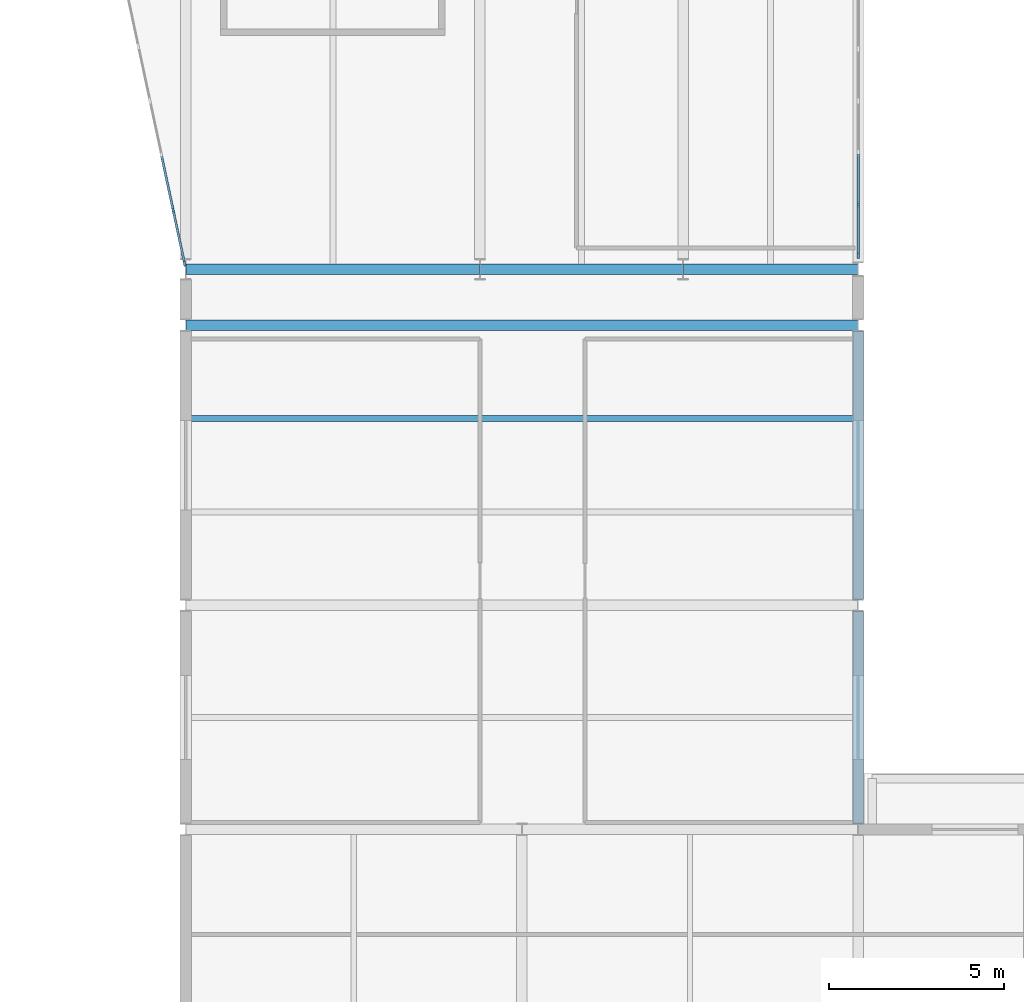
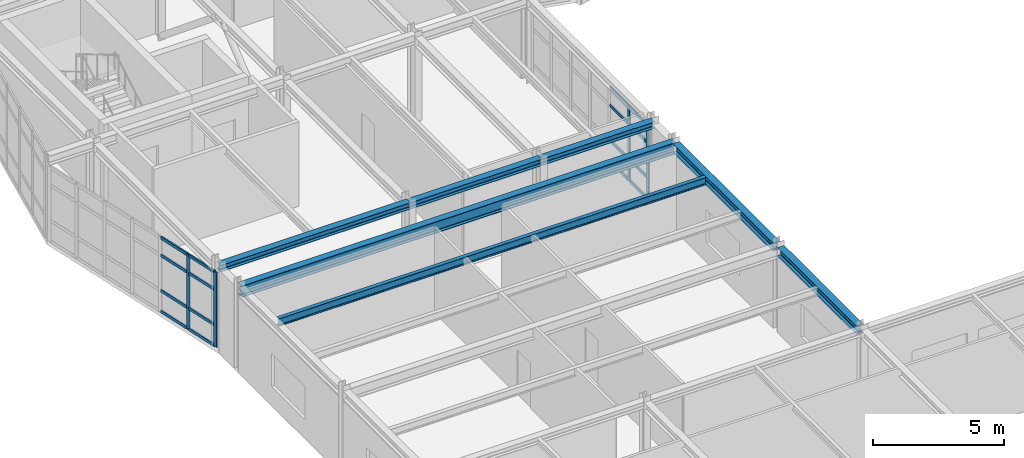
# One storey, part 20 of 99: 20 members, 7 beams, 2 elements without a shape of their own.
"""IFC4 building model written with IfcOpenShell, lengths in metres."""

from ifc_helpers import new_model, si_unit, direction, frame, origin, origin_2d, place, context, subcontext, project, spatial, rectangle, i_section, extrude, material, layer, layer_set, material_profile, profile_set, type_object, element, aggregate, save


model = new_model("IFC4")

# Units and contexts
model_context = context("Model", 3, precision=1e-05, world=origin(), true_north=direction((0.0, 1.0)))
body_context = subcontext(model_context, "Body", "Model", "MODEL_VIEW")
ifc_project = project(units=[si_unit("LENGTHUNIT", "METRE"), si_unit("AREAUNIT", "SQUARE_METRE"), si_unit("VOLUMEUNIT", "CUBIC_METRE"), si_unit("PLANEANGLEUNIT", "RADIAN"), si_unit("MASSUNIT", "GRAM", prefix="KILO")], contexts=[model_context])

# Site, building, storey
site_placement = place(None, origin())
site = spatial("IfcSite", under=ifc_project, at=site_placement, CompositionType="ELEMENT")
building_placement = place(site_placement, origin())
building = spatial("IfcBuilding", under=site, at=building_placement, Name="Nordkorset Police Headquarters", CompositionType="ELEMENT")
storey_placement = place(building_placement, frame((0.0, 0.0, 5.25)))
storey = spatial("IfcBuildingStorey", under=building, at=storey_placement, Name="L01", CompositionType="ELEMENT", Elevation=5.25)

# Beam
ifc_material_1 = material(Name="Steel S355J2", Category="steel")
ifc_material_profile_1 = material_profile(ifc_material_1, i_section(OverallWidth=0.169921875, OverallDepth=0.360107421875, WebThickness=0.008056640625, FlangeThickness=0.0126953125, FilletRadius=0.01806640625, at=origin_2d()), Name="IPE 360")
ifc_profile_set_1 = profile_set([ifc_material_profile_1], Name="Steel S355J2")
beam_type_1 = type_object("IfcBeamType", Name="Beam_IPE_360", PredefinedType="BEAM", material=ifc_profile_set_1)
beam_1_placement = place(storey_placement, frame((0.14990234375, 24.533447265625, 3.784912109375), z_axis=(1.0, 0.0, 0.0), x_axis=(0.0, 1.0, 0.0)))
element("IfcBeam", 1, at=beam_1_placement, inside=storey, type_object=beam_type_1, Name="Composite Floor Beam V7W L01 0-1-2", PredefinedType="BEAM", context=body_context, shape_type="SweptSolid", body=[
    extrude(i_section(OverallWidth=0.169921875, OverallDepth=0.360107421875, WebThickness=0.008056640625, FlangeThickness=0.0126953125, FilletRadius=0.01806640625, at=origin_2d()), origin(), (0.0, 0.0, 1.0), 18.900146484375),
])

# Curtain wall, members
ifc_material_2 = material(Name="Aluminium alloy AW-6060", Category="aluminium")
ifc_layer_1 = layer(ifc_material_2, 0.179931640625, Name="Aluminium alloy AW-6060")
ifc_layer_set_1 = layer_set([ifc_layer_1], Name="Aluminium alloy AW-6060")
curtain_wall_type_1 = type_object("IfcCurtainWallType", Name="CW_Unit_954x350", PredefinedType="USERDEFINED", material=ifc_layer_set_1)
curtain_wall_1_placement = place(storey_placement, origin())
curtain_wall_1 = element("IfcCurtainWall", 2, at=curtain_wall_1_placement, inside=storey, type_object=curtain_wall_type_1, Name="Unitised Curtain Wall L01 V3W-0", ObjectType="UNITISED CURTAIN WALL", PredefinedType="USERDEFINED")
ifc_material_3 = material(Name="Aluminium alloy AW-6060", Category="aluminium")
ifc_material_profile_2 = material_profile(ifc_material_3, rectangle(XDim=0.06494140625, YDim=0.179931640625, at=origin_2d()), Name="ALU MULL 65x180")
ifc_profile_set_2 = profile_set([ifc_material_profile_2], Name="Aluminium alloy AW-6060")
member_type_1 = type_object("IfcMemberType", Name="CW_Mullion_65x180", PredefinedType="MULLION", material=ifc_profile_set_2)
member_1_placement = place(storey_placement, frame((-0.0361328125, 28.96875, 0.0), z_axis=(0.0, 0.0, 1.0), x_axis=(-0.977951416289, -0.208832534289, 0.0)))
member_1 = element("IfcMember", 3, at=member_1_placement, type_object=member_type_1, Name="CW-63 mullion 1", PredefinedType="MULLION", context=body_context, shape_type="SweptSolid", body=[
    extrude(rectangle(XDim=0.06494140625, YDim=0.179931640625, at=origin_2d()), origin(), (0.0, 0.0, 1.0), 3.5),
])
member_2_placement = place(storey_placement, frame((-0.361083984375, 30.4912109375, 0.0), z_axis=(0.0, 0.0, 1.0), x_axis=(-0.977951416289, -0.208832534289, 0.0)))
member_2 = element("IfcMember", 4, at=member_2_placement, type_object=member_type_1, Name="CW-63 mullion 2", PredefinedType="MULLION", context=body_context, shape_type="SweptSolid", body=[
    extrude(rectangle(XDim=0.06494140625, YDim=0.179931640625, at=origin_2d()), origin(), (0.0, 0.0, 1.0), 3.5),
])

ifc_material_4 = material(Name="Aluminium alloy AW-6060", Category="aluminium")
ifc_layer_2 = layer(ifc_material_4, 0.179931640625, Name="Aluminium alloy AW-6060")
ifc_layer_set_2 = layer_set([ifc_layer_2], Name="Aluminium alloy AW-6060")
curtain_wall_type_2 = type_object("IfcCurtainWallType", Name="CW_Unit_888x350", PredefinedType="USERDEFINED", material=ifc_layer_set_2)
curtain_wall_2_placement = place(storey_placement, origin())
curtain_wall_2 = element("IfcCurtainWall", 5, at=curtain_wall_2_placement, inside=storey, type_object=curtain_wall_type_2, Name="Unitised Curtain Wall L01 V3E-0", ObjectType="UNITISED CURTAIN WALL", PredefinedType="USERDEFINED")
member_3_placement = place(storey_placement, frame((19.199951171875, 29.1923828125, 0.0), z_axis=(0.0, 0.0, 1.0), x_axis=(-1.0, 0.0, 0.0)))
member_3 = element("IfcMember", 6, at=member_3_placement, type_object=member_type_1, Name="CW-95 mullion 1", PredefinedType="MULLION", context=body_context, shape_type="SweptSolid", body=[
    extrude(rectangle(XDim=0.06494140625, YDim=0.179931640625, at=origin_2d()), origin(), (0.0, 0.0, 1.0), 3.5),
])
member_4_placement = place(storey_placement, frame((19.199951171875, 30.639892578125, 0.0), z_axis=(0.0, 0.0, 1.0), x_axis=(-1.0, 0.0, 0.0)))
member_4 = element("IfcMember", 7, at=member_4_placement, type_object=member_type_1, Name="CW-95 mullion 2", PredefinedType="MULLION", context=body_context, shape_type="SweptSolid", body=[
    extrude(rectangle(XDim=0.06494140625, YDim=0.179931640625, at=origin_2d()), origin(), (0.0, 0.0, 1.0), 3.5),
])

# Member
ifc_material_5 = material(Name="Aluminium alloy AW-6060", Category="aluminium")
ifc_material_profile_3 = material_profile(ifc_material_5, rectangle(XDim=0.06494140625, YDim=0.139892578125, at=origin_2d()), Name="ALU TRAN 65x140")
ifc_profile_set_3 = profile_set([ifc_material_profile_3], Name="Aluminium alloy AW-6060")
member_type_2 = type_object("IfcMemberType", Name="CW_Transom_65x140", PredefinedType="USERDEFINED", material=ifc_profile_set_3)
member_5_placement = place(storey_placement, frame((-0.042724609375, 29.00048828125, 0.032470703125), z_axis=(-0.208970278443, 0.977921992148, 0.0), x_axis=(-0.977921992148, -0.208970278443, 0.0)))
member_5 = element("IfcMember", 8, at=member_5_placement, type_object=member_type_2, Name="CW-63 transom 1.1", ObjectType="TRANSOM", PredefinedType="USERDEFINED", context=body_context, shape_type="SweptSolid", body=[
    extrude(rectangle(XDim=0.06494140625, YDim=0.139892578125, at=origin_2d()), origin(), (0.0, 0.0, 1.0), 1.491943359375),
])

member_6_placement = place(storey_placement, frame((-0.042724609375, 29.00048828125, 1.0), z_axis=(-0.208970278443, 0.977921992148, 0.0), x_axis=(-0.977921992148, -0.208970278443, 0.0)))
member_6 = element("IfcMember", 9, at=member_6_placement, type_object=member_type_2, Name="CW-63 transom 1.2", ObjectType="TRANSOM", PredefinedType="USERDEFINED", context=body_context, shape_type="SweptSolid", body=[
    extrude(rectangle(XDim=0.06494140625, YDim=0.139892578125, at=origin_2d()), origin(), (0.0, 0.0, 1.0), 1.491943359375),
])

member_7_placement = place(storey_placement, frame((-0.042724609375, 29.00048828125, 2.64990234375), z_axis=(-0.208970278443, 0.977921992148, 0.0), x_axis=(-0.977921992148, -0.208970278443, 0.0)))
member_7 = element("IfcMember", 10, at=member_7_placement, type_object=member_type_2, Name="CW-63 transom 1.3", ObjectType="TRANSOM", PredefinedType="USERDEFINED", context=body_context, shape_type="SweptSolid", body=[
    extrude(rectangle(XDim=0.06494140625, YDim=0.139892578125, at=origin_2d()), origin(), (0.0, 0.0, 1.0), 1.491943359375),
])

member_8_placement = place(storey_placement, frame((-0.042724609375, 29.00048828125, 3.467529296875), z_axis=(-0.208970278443, 0.977921992148, 0.0), x_axis=(-0.977921992148, -0.208970278443, 0.0)))
member_8 = element("IfcMember", 11, at=member_8_placement, type_object=member_type_2, Name="CW-63 transom 1.4", ObjectType="TRANSOM", PredefinedType="USERDEFINED", context=body_context, shape_type="SweptSolid", body=[
    extrude(rectangle(XDim=0.06494140625, YDim=0.139892578125, at=origin_2d()), origin(), (0.0, 0.0, 1.0), 1.491943359375),
])

member_9_placement = place(storey_placement, frame((-0.367919921875, 30.52294921875, 0.032470703125), z_axis=(-0.208818182896, 0.977954480787, 0.0), x_axis=(-0.977954480787, -0.208818182896, 0.0)))
member_9 = element("IfcMember", 12, at=member_9_placement, type_object=member_type_2, Name="CW-63 transom 2.1", ObjectType="TRANSOM", PredefinedType="USERDEFINED", context=body_context, shape_type="SweptSolid", body=[
    extrude(rectangle(XDim=0.06494140625, YDim=0.139892578125, at=origin_2d()), origin(), (0.0, 0.0, 1.0), 1.524658203125),
])

member_10_placement = place(storey_placement, frame((-0.367919921875, 30.52294921875, 1.0), z_axis=(-0.208818182896, 0.977954480787, 0.0), x_axis=(-0.977954480787, -0.208818182896, 0.0)))
member_10 = element("IfcMember", 13, at=member_10_placement, type_object=member_type_2, Name="CW-63 transom 2.2", ObjectType="TRANSOM", PredefinedType="USERDEFINED", context=body_context, shape_type="SweptSolid", body=[
    extrude(rectangle(XDim=0.06494140625, YDim=0.139892578125, at=origin_2d()), origin(), (0.0, 0.0, 1.0), 1.524658203125),
])

member_11_placement = place(storey_placement, frame((-0.367919921875, 30.52294921875, 2.64990234375), z_axis=(-0.208818182896, 0.977954480787, 0.0), x_axis=(-0.977954480787, -0.208818182896, 0.0)))
member_11 = element("IfcMember", 14, at=member_11_placement, type_object=member_type_2, Name="CW-63 transom 2.3", ObjectType="TRANSOM", PredefinedType="USERDEFINED", context=body_context, shape_type="SweptSolid", body=[
    extrude(rectangle(XDim=0.06494140625, YDim=0.139892578125, at=origin_2d()), origin(), (0.0, 0.0, 1.0), 1.524658203125),
])

member_12_placement = place(storey_placement, frame((-0.367919921875, 30.52294921875, 3.467529296875), z_axis=(-0.208818182896, 0.977954480787, 0.0), x_axis=(-0.977954480787, -0.208818182896, 0.0)))
member_12 = element("IfcMember", 15, at=member_12_placement, type_object=member_type_2, Name="CW-63 transom 2.4", ObjectType="TRANSOM", PredefinedType="USERDEFINED", context=body_context, shape_type="SweptSolid", body=[
    extrude(rectangle(XDim=0.06494140625, YDim=0.139892578125, at=origin_2d()), origin(), (0.0, 0.0, 1.0), 1.524658203125),
])

aggregate(curtain_wall_1, [member_1, member_2, member_5, member_6, member_7, member_8, member_9, member_10, member_11, member_12])

member_13_placement = place(storey_placement, frame((19.199951171875, 29.22509765625, 0.032470703125), z_axis=(0.0, 1.0, 0.0), x_axis=(-1.0, 0.0, 0.0)))
member_13 = element("IfcMember", 16, at=member_13_placement, type_object=member_type_2, Name="CW-95 transom 1.1", ObjectType="TRANSOM", PredefinedType="USERDEFINED", context=body_context, shape_type="SweptSolid", body=[
    extrude(rectangle(XDim=0.06494140625, YDim=0.139892578125, at=origin_2d()), origin(), (0.0, 0.0, 1.0), 1.38232421875),
])

member_14_placement = place(storey_placement, frame((19.199951171875, 29.22509765625, 1.0), z_axis=(0.0, 1.0, 0.0), x_axis=(-1.0, 0.0, 0.0)))
member_14 = element("IfcMember", 17, at=member_14_placement, type_object=member_type_2, Name="CW-95 transom 1.2", ObjectType="TRANSOM", PredefinedType="USERDEFINED", context=body_context, shape_type="SweptSolid", body=[
    extrude(rectangle(XDim=0.06494140625, YDim=0.139892578125, at=origin_2d()), origin(), (0.0, 0.0, 1.0), 1.38232421875),
])

member_15_placement = place(storey_placement, frame((19.199951171875, 29.22509765625, 2.64990234375), z_axis=(0.0, 1.0, 0.0), x_axis=(-1.0, 0.0, 0.0)))
member_15 = element("IfcMember", 18, at=member_15_placement, type_object=member_type_2, Name="CW-95 transom 1.3", ObjectType="TRANSOM", PredefinedType="USERDEFINED", context=body_context, shape_type="SweptSolid", body=[
    extrude(rectangle(XDim=0.06494140625, YDim=0.139892578125, at=origin_2d()), origin(), (0.0, 0.0, 1.0), 1.38232421875),
])

member_16_placement = place(storey_placement, frame((19.199951171875, 29.22509765625, 3.467529296875), z_axis=(0.0, 1.0, 0.0), x_axis=(-1.0, 0.0, 0.0)))
member_16 = element("IfcMember", 19, at=member_16_placement, type_object=member_type_2, Name="CW-95 transom 1.4", ObjectType="TRANSOM", PredefinedType="USERDEFINED", context=body_context, shape_type="SweptSolid", body=[
    extrude(rectangle(XDim=0.06494140625, YDim=0.139892578125, at=origin_2d()), origin(), (0.0, 0.0, 1.0), 1.38232421875),
])

member_17_placement = place(storey_placement, frame((19.199951171875, 30.672607421875, 0.032470703125), z_axis=(0.0, 1.0, 0.0), x_axis=(-1.0, 0.0, 0.0)))
member_17 = element("IfcMember", 20, at=member_17_placement, type_object=member_type_2, Name="CW-95 transom 2.1", ObjectType="TRANSOM", PredefinedType="USERDEFINED", context=body_context, shape_type="SweptSolid", body=[
    extrude(rectangle(XDim=0.06494140625, YDim=0.139892578125, at=origin_2d()), origin(), (0.0, 0.0, 1.0), 1.414794921875),
])

member_18_placement = place(storey_placement, frame((19.199951171875, 30.672607421875, 1.0), z_axis=(0.0, 1.0, 0.0), x_axis=(-1.0, 0.0, 0.0)))
member_18 = element("IfcMember", 21, at=member_18_placement, type_object=member_type_2, Name="CW-95 transom 2.2", ObjectType="TRANSOM", PredefinedType="USERDEFINED", context=body_context, shape_type="SweptSolid", body=[
    extrude(rectangle(XDim=0.06494140625, YDim=0.139892578125, at=origin_2d()), origin(), (0.0, 0.0, 1.0), 1.414794921875),
])

member_19_placement = place(storey_placement, frame((19.199951171875, 30.672607421875, 2.64990234375), z_axis=(0.0, 1.0, 0.0), x_axis=(-1.0, 0.0, 0.0)))
member_19 = element("IfcMember", 22, at=member_19_placement, type_object=member_type_2, Name="CW-95 transom 2.3", ObjectType="TRANSOM", PredefinedType="USERDEFINED", context=body_context, shape_type="SweptSolid", body=[
    extrude(rectangle(XDim=0.06494140625, YDim=0.139892578125, at=origin_2d()), origin(), (0.0, 0.0, 1.0), 1.414794921875),
])

member_20_placement = place(storey_placement, frame((19.199951171875, 30.672607421875, 3.467529296875), z_axis=(0.0, 1.0, 0.0), x_axis=(-1.0, 0.0, 0.0)))
member_20 = element("IfcMember", 23, at=member_20_placement, type_object=member_type_2, Name="CW-95 transom 2.4", ObjectType="TRANSOM", PredefinedType="USERDEFINED", context=body_context, shape_type="SweptSolid", body=[
    extrude(rectangle(XDim=0.06494140625, YDim=0.139892578125, at=origin_2d()), origin(), (0.0, 0.0, 1.0), 1.414794921875),
])

aggregate(curtain_wall_2, [member_3, member_4, member_13, member_14, member_15, member_16, member_17, member_18, member_19, member_20])

# Beams
ifc_material_6 = material(Name="Steel S355J2", Category="steel")
ifc_material_profile_4 = material_profile(ifc_material_6, i_section(OverallWidth=0.300048828125, OverallDepth=0.389892578125, WebThickness=0.010986328125, FlangeThickness=0.01904296875, FilletRadius=0.027099609375, at=origin_2d()), Name="HEA 400")
ifc_profile_set_4 = profile_set([ifc_material_profile_4], Name="Steel S355J2")
beam_type_2 = type_object("IfcBeamType", Name="Girder_HEA_400", PredefinedType="USERDEFINED", material=ifc_profile_set_4)
beam_2_placement = place(storey_placement, frame((19.199951171875, 12.969970703125, 3.77001953125), z_axis=(0.0, 1.0, 0.0), x_axis=(-1.0, 0.0, 0.0)))
element("IfcBeam", 24, at=beam_2_placement, inside=storey, type_object=beam_type_2, Name="Girder V7W L01 GY-1-0", ObjectType="GIRDER", PredefinedType="USERDEFINED", context=body_context, shape_type="SweptSolid", body=[
    extrude(i_section(OverallWidth=0.300048828125, OverallDepth=0.389892578125, WebThickness=0.010986328125, FlangeThickness=0.01904296875, FilletRadius=0.027099609375, at=origin_2d()), origin(), (0.0, 0.0, 1.0), 6.06005859375),
])
beam_3_placement = place(storey_placement, frame((19.199951171875, 19.3701171875, 3.77001953125), z_axis=(0.0, 1.0, 0.0), x_axis=(-1.0, 0.0, 0.0)))
element("IfcBeam", 25, at=beam_3_placement, inside=storey, type_object=beam_type_2, Name="Girder V7W L01 GY-1-1", ObjectType="GIRDER", PredefinedType="USERDEFINED", context=body_context, shape_type="SweptSolid", body=[
    extrude(i_section(OverallWidth=0.300048828125, OverallDepth=0.389892578125, WebThickness=0.010986328125, FlangeThickness=0.01904296875, FilletRadius=0.027099609375, at=origin_2d()), origin(), (0.0, 0.0, 1.0), 7.659912109375),
])
ifc_material_7 = material(Name="Steel S355J2", Category="steel")
ifc_material_profile_5 = material_profile(ifc_material_7, i_section(OverallWidth=0.300048828125, OverallDepth=0.5400390625, WebThickness=0.012451171875, FlangeThickness=0.02392578125, FilletRadius=0.027099609375, at=origin_2d()), Name="HEA 550")
ifc_profile_set_5 = profile_set([ifc_material_profile_5], Name="Steel S355J2")
beam_type_3 = type_object("IfcBeamType", Name="Girder_HEA_550", PredefinedType="USERDEFINED", material=ifc_profile_set_5)
beam_4_placement = place(storey_placement, frame((0.006103515625, 27.199951171875, 3.695068359375), z_axis=(1.0, 0.0, 0.0), x_axis=(0.0, 1.0, 0.0)))
element("IfcBeam", 26, at=beam_4_placement, inside=storey, type_object=beam_type_3, Name="Girder V7W L01 GX-2-0", ObjectType="GIRDER", PredefinedType="USERDEFINED", context=body_context, shape_type="SweptSolid", body=[
    extrude(i_section(OverallWidth=0.300048828125, OverallDepth=0.5400390625, WebThickness=0.012451171875, FlangeThickness=0.02392578125, FilletRadius=0.027099609375, at=origin_2d()), origin(), (0.0, 0.0, 1.0), 19.18798828125),
])
ifc_material_8 = material(Name="Steel S355J2", Category="steel")
ifc_material_profile_6 = material_profile(ifc_material_8, i_section(OverallWidth=0.300048828125, OverallDepth=0.31005859375, WebThickness=0.009033203125, FlangeThickness=0.015380859375, FilletRadius=0.027099609375, at=origin_2d()), Name="HEA 320")
ifc_profile_set_6 = profile_set([ifc_material_profile_6], Name="Steel S355J2")
beam_type_4 = type_object("IfcBeamType", Name="Spandrel_HEA_320", PredefinedType="SPANDREL", material=ifc_profile_set_6)
beam_5_placement = place(storey_placement, frame((0.0078125, 28.800048828125, 3.804931640625), z_axis=(1.0, 0.0, 0.0), x_axis=(0.0, 1.0, 0.0)))
element("IfcBeam", 27, at=beam_5_placement, inside=storey, type_object=beam_type_4, Name="Girder V3 L01 GX-0-0", PredefinedType="SPANDREL", context=body_context, shape_type="SweptSolid", body=[
    extrude(i_section(OverallWidth=0.300048828125, OverallDepth=0.31005859375, WebThickness=0.009033203125, FlangeThickness=0.015380859375, FilletRadius=0.027099609375, at=origin_2d()), origin(), (0.0, 0.0, 1.0), 8.384521484375),
])
beam_6_placement = place(storey_placement, frame((8.40771484375, 28.800048828125, 3.804931640625), z_axis=(1.0, 0.0, 0.0), x_axis=(0.0, 1.0, 0.0)))
element("IfcBeam", 28, at=beam_6_placement, inside=storey, type_object=beam_type_4, Name="Girder V3 L01 GX-0-1", PredefinedType="SPANDREL", context=body_context, shape_type="SweptSolid", body=[
    extrude(i_section(OverallWidth=0.300048828125, OverallDepth=0.31005859375, WebThickness=0.009033203125, FlangeThickness=0.015380859375, FilletRadius=0.027099609375, at=origin_2d()), origin(), (0.0, 0.0, 1.0), 5.78466796875),
])
beam_7_placement = place(storey_placement, frame((14.207763671875, 28.800048828125, 3.804931640625), z_axis=(1.0, 0.0, 0.0), x_axis=(0.0, 1.0, 0.0)))
element("IfcBeam", 29, at=beam_7_placement, inside=storey, type_object=beam_type_4, Name="Girder V3 L01 GX-0-2", PredefinedType="SPANDREL", context=body_context, shape_type="SweptSolid", body=[
    extrude(i_section(OverallWidth=0.300048828125, OverallDepth=0.31005859375, WebThickness=0.009033203125, FlangeThickness=0.015380859375, FilletRadius=0.027099609375, at=origin_2d()), origin(), (0.0, 0.0, 1.0), 4.985595703125),
])

save(model, "model.ifc")
